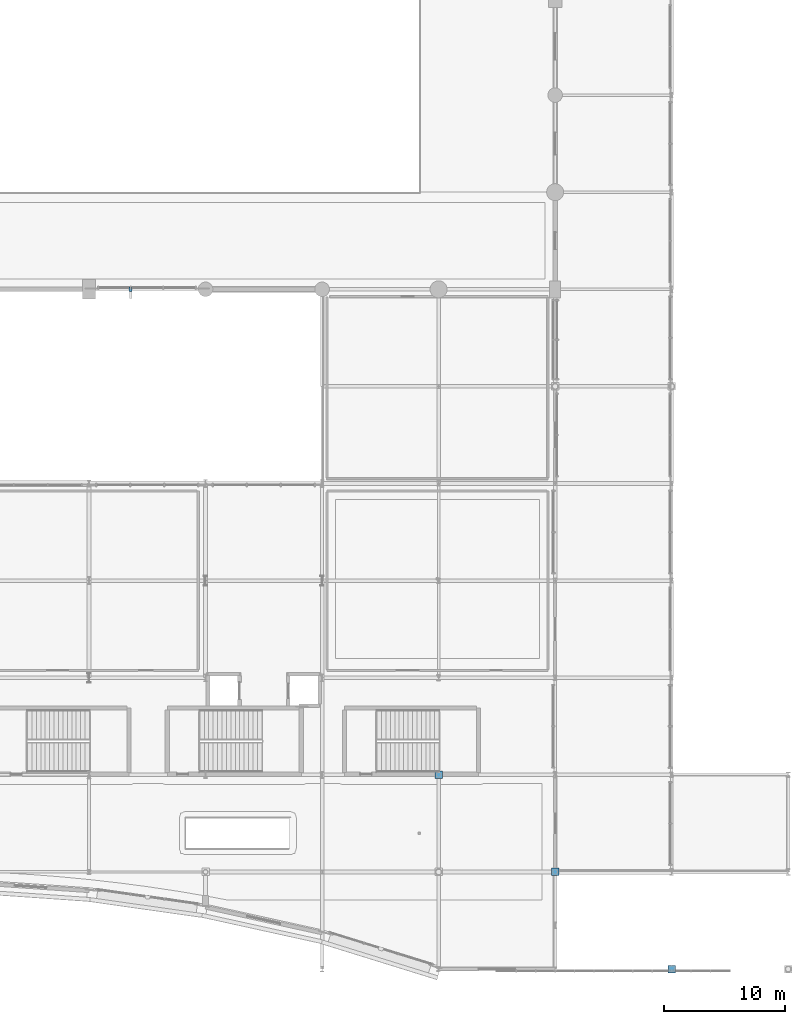
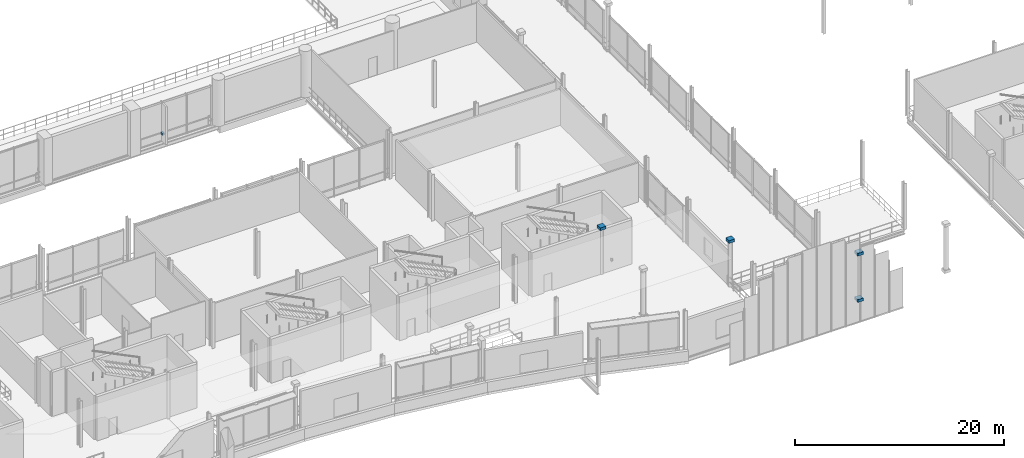
# One storey, part 92 of 129: 5 discrete accessories.
"""IFC4 building model written with IfcOpenShell, lengths in metres."""

from ifc_helpers import new_model, si_unit, direction, frame, origin, origin_2d, place, context, subcontext, project, spatial, rectangle, extrude, material, type_object, element, save


model = new_model("IFC4")

# Units and contexts
model_context = context("Model", 3, precision=1e-05, world=origin(), true_north=direction((0.0, 1.0)))
body_context = subcontext(model_context, "Body", "Model", "MODEL_VIEW")
ifc_project = project(units=[si_unit("LENGTHUNIT", "METRE"), si_unit("AREAUNIT", "SQUARE_METRE"), si_unit("VOLUMEUNIT", "CUBIC_METRE"), si_unit("PLANEANGLEUNIT", "RADIAN"), si_unit("MASSUNIT", "GRAM", prefix="KILO")], contexts=[model_context])

# Site, building, storey
site_placement = place(None, origin())
site = spatial("IfcSite", under=ifc_project, at=site_placement, CompositionType="ELEMENT")
building_placement = place(site_placement, origin())
building = spatial("IfcBuilding", under=site, at=building_placement, Name="Danafjord Basin Convention Centre", CompositionType="ELEMENT")
storey_placement = place(building_placement, frame((0.0, 0.0, 6.0)))
storey = spatial("IfcBuildingStorey", under=building, at=storey_placement, Name="L01", CompositionType="ELEMENT", Elevation=6.0)

# Discrete accessories
ifc_material_1 = material(Name="Stainless steel EN 1.4404", Category="steel")
discrete_accessory_type_1 = type_object("IfcDiscreteAccessoryType", Name="ACC-FIN-BRK", PredefinedType="BRACKET", material=ifc_material_1)
discrete_accessory_placement = place(storey_placement, frame((80.2333984375, 56.0, 0.830078125), z_axis=(0.0, 0.0, 1.0), x_axis=(1.0, 0.0, 0.0)))
element("IfcDiscreteAccessory", 1, at=discrete_accessory_placement, inside=storey, type_object=discrete_accessory_type_1, Name="Solar fin stainless-steel mounting bracket", PredefinedType="BRACKET", context=body_context, shape_type="SweptSolid", body=[
    extrude(rectangle(XDim=0.239990234375, YDim=0.360107421875, at=origin_2d()), origin(), (0.0, 0.0, 1.0), 0.239990234375),
])
ifc_material_2 = material(Name="Steel S355", Category="steel")
discrete_accessory_type_2 = type_object("IfcDiscreteAccessoryType", Name="ACC-SF-HUB", PredefinedType="BRACKET", material=ifc_material_2)
for number, where, z_axis, x_axis, name in (
    (2, (105.60009765625, 16.0, 5.23974609375), (0.0, 0.0, 1.0), (1.0, 0.0, 0.0), "Tubular steel column top cap plate"),
    (3, (115.199951171875, 8.0, 5.23974609375), (0.0, 0.0, 1.0), (1.0, 0.0, 0.0), "Tubular steel column top cap plate"),
    (4, (124.800048828125, 0.0, -0.16015625), (0.0, 0.0, 1.0), (1.0, 0.0, 0.0), "Tubular steel column transition collar"),
    (5, (124.800048828125, 0.0, 5.23974609375), (0.0, 0.0, 1.0), (1.0, 0.0, 0.0), "Tubular steel column top cap plate"),
):
    element("IfcDiscreteAccessory", number, at=place(storey_placement, frame(where, z_axis=z_axis, x_axis=x_axis)), inside=storey, type_object=discrete_accessory_type_2, Name=name, PredefinedType="BRACKET", context=body_context, shape_type="SweptSolid", body=[
        extrude(rectangle(XDim=0.6201171875, YDim=0.6201171875, at=origin_2d()), origin(), (0.0, 0.0, 1.0), 0.320068359375),
    ])

save(model, "model.ifc")
